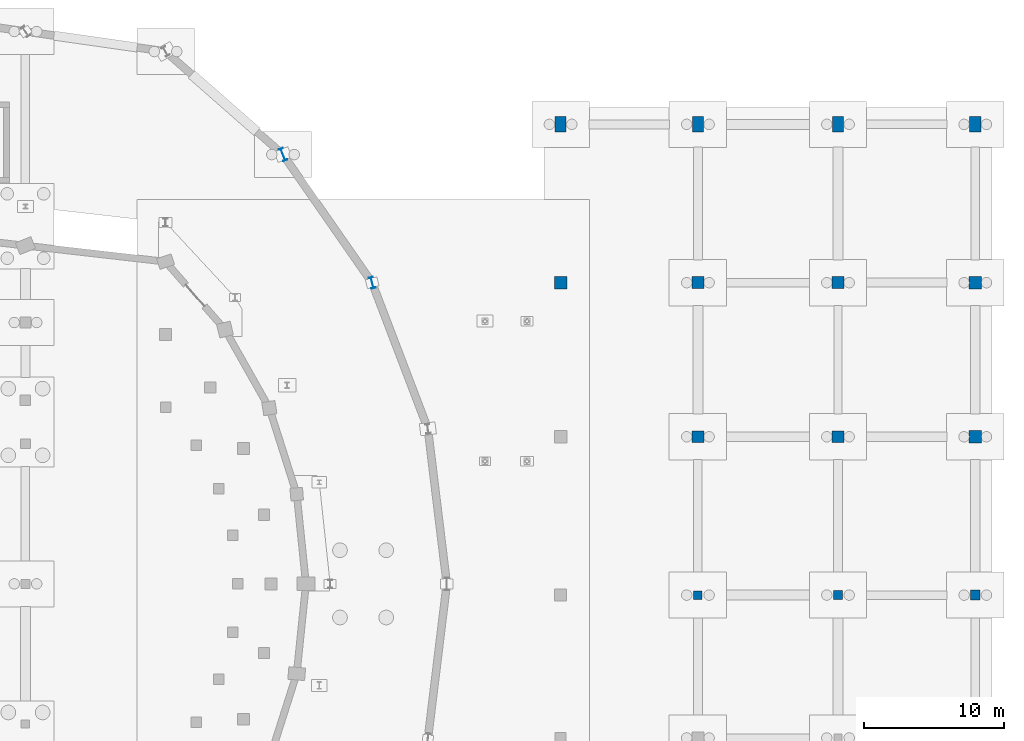
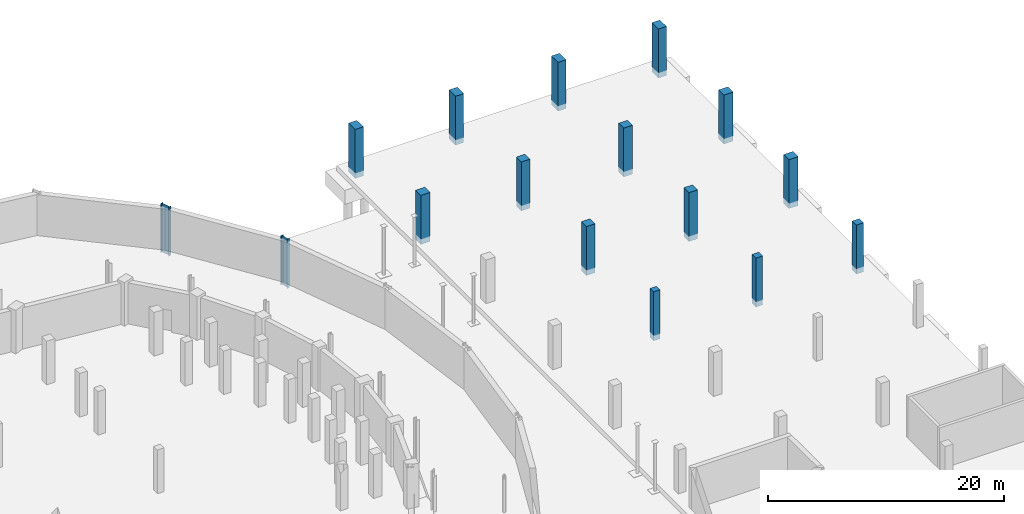
# One storey, part 33 of 55: 16 columns.
"""IFC4 building model written with IfcOpenShell, lengths in metres."""

from ifc_helpers import new_model, si_unit, direction, frame, origin, origin_2d, place, context, subcontext, project, spatial, rectangle, i_section, extrude, material, material_profile, profile_set, type_object, element, save


model = new_model("IFC4")

# Units and contexts
model_context = context("Model", 3, precision=1e-05, world=origin(), true_north=direction((0.0, 1.0)))
body_context = subcontext(model_context, "Body", "Model", "MODEL_VIEW")
ifc_project = project(units=[si_unit("LENGTHUNIT", "METRE"), si_unit("AREAUNIT", "SQUARE_METRE"), si_unit("VOLUMEUNIT", "CUBIC_METRE"), si_unit("PLANEANGLEUNIT", "RADIAN"), si_unit("MASSUNIT", "GRAM", prefix="KILO")], contexts=[model_context])

# Site, building, storey
site_placement = place(None, origin())
site = spatial("IfcSite", under=ifc_project, at=site_placement, CompositionType="ELEMENT")
building_placement = place(site_placement, origin())
building = spatial("IfcBuilding", under=site, at=building_placement, Name="Sohan Crest Arena", CompositionType="ELEMENT")
storey_placement = place(building_placement, frame((0.0, 0.0, -4.5)))
storey = spatial("IfcBuildingStorey", under=building, at=storey_placement, Name="B1", CompositionType="ELEMENT", Elevation=-4.5)

# Columns
ifc_material_1 = material(Name="Concrete C40/50", Category="concrete")
ifc_material_profile_1 = material_profile(ifc_material_1, rectangle(XDim=0.60009765625, YDim=0.60009765625, at=origin_2d()), Name="RC 600x600")
ifc_profile_set_1 = profile_set([ifc_material_profile_1], Name="Concrete C40/50")
column_type_1 = type_object("IfcColumnType", Name="STR-COL-C01", PredefinedType="COLUMN", material=ifc_profile_set_1)
column_1_placement = place(storey_placement, frame((206.0, 77.199951171875, -0.550048828125), z_axis=(0.0, 0.0, 1.0), x_axis=(1.0, 0.0, 0.0)))
element("IfcColumn", 1, at=column_1_placement, inside=storey, type_object=column_type_1, Name="Structural column COL-V4S-24-B1", PredefinedType="COLUMN", context=body_context, shape_type="SweptSolid", body=[
    extrude(rectangle(XDim=0.60009765625, YDim=0.60009765625, at=origin_2d()), origin(), (0.0, 0.0, 1.0), 5.050048828125),
])
ifc_material_profile_2 = material_profile(ifc_material_1, rectangle(XDim=0.64990234375, YDim=0.64990234375, at=origin_2d()), Name="RC 650x650")
ifc_profile_set_2 = profile_set([ifc_material_profile_2], Name="Concrete C40/50")
column_type_2 = type_object("IfcColumnType", Name="STR-COL-C02", PredefinedType="COLUMN", material=ifc_profile_set_2)
column_2_placement = place(storey_placement, frame((216.0, 77.199951171875, -0.550048828125), z_axis=(0.0, 0.0, 1.0), x_axis=(1.0, 0.0, 0.0)))
element("IfcColumn", 2, at=column_2_placement, inside=storey, type_object=column_type_2, Name="Structural column COL-V4S-34-B1", PredefinedType="COLUMN", context=body_context, shape_type="SweptSolid", body=[
    extrude(rectangle(XDim=0.64990234375, YDim=0.64990234375, at=origin_2d()), origin(), (0.0, 0.0, 1.0), 5.050048828125),
])
ifc_material_profile_3 = material_profile(ifc_material_1, rectangle(XDim=0.699951171875, YDim=0.699951171875, at=origin_2d()), Name="RC 700x700")
ifc_profile_set_3 = profile_set([ifc_material_profile_3], Name="Concrete C40/50")
column_type_3 = type_object("IfcColumnType", Name="STR-COL-C03", PredefinedType="COLUMN", material=ifc_profile_set_3)
column_3_placement = place(storey_placement, frame((225.800048828125, 77.199951171875, -0.550048828125), z_axis=(0.0, 0.0, 1.0), x_axis=(1.0, 0.0, 0.0)))
element("IfcColumn", 3, at=column_3_placement, inside=storey, type_object=column_type_3, Name="Structural column COL-V4S-44-B1", PredefinedType="COLUMN", context=body_context, shape_type="SweptSolid", body=[
    extrude(rectangle(XDim=0.699951171875, YDim=0.699951171875, at=origin_2d()), origin(), (0.0, 0.0, 1.0), 5.050048828125),
])
ifc_material_profile_4 = material_profile(ifc_material_1, rectangle(XDim=0.85009765625, YDim=0.85009765625, at=origin_2d()), Name="RC 850x850")
ifc_profile_set_4 = profile_set([ifc_material_profile_4], Name="Concrete C40/50")
column_type_4 = type_object("IfcColumnType", Name="STR-COL-C06", PredefinedType="COLUMN", material=ifc_profile_set_4)
for number, where, z_axis, x_axis, name in (
    (4, (206.0, 88.5, -0.550048828125), (0.0, 0.0, 1.0), (1.0, 0.0, 0.0), "Structural column COL-V4B-11-B1"),
    (5, (206.0, 99.5, -0.550048828125), (0.0, 0.0, 1.0), (1.0, 0.0, 0.0), "Structural column COL-V4B-12-B1"),
    (6, (216.0, 88.5, -0.550048828125), (0.0, 0.0, 1.0), (1.0, 0.0, 0.0), "Structural column COL-V4B-21-B1"),
    (7, (216.0, 99.5, -0.550048828125), (0.0, 0.0, 1.0), (1.0, 0.0, 0.0), "Structural column COL-V4B-22-B1"),
):
    element("IfcColumn", number, at=place(storey_placement, frame(where, z_axis=z_axis, x_axis=x_axis)), inside=storey, type_object=column_type_4, Name=name, PredefinedType="COLUMN", context=body_context, shape_type="SweptSolid", body=[
        extrude(rectangle(XDim=0.85009765625, YDim=0.85009765625, at=origin_2d()), origin(), (0.0, 0.0, 1.0), 5.050048828125),
    ])
ifc_material_profile_5 = material_profile(ifc_material_1, rectangle(XDim=0.89990234375, YDim=0.89990234375, at=origin_2d()), Name="RC 900x900")
ifc_profile_set_5 = profile_set([ifc_material_profile_5], Name="Concrete C40/50")
column_type_5 = type_object("IfcColumnType", Name="STR-COL-C07", PredefinedType="COLUMN", material=ifc_profile_set_5)
for number, where, z_axis, x_axis, name in (
    (8, (225.800048828125, 88.5, -0.550048828125), (0.0, 0.0, 1.0), (1.0, 0.0, 0.0), "Structural column COL-V4G-E1-B1"),
    (9, (196.199951171875, 99.5, -0.550048828125), (0.0, 0.0, 1.0), (1.0, 0.0, 0.0), "Structural column COL-V4G-W2-B1"),
    (10, (225.800048828125, 99.5, -0.550048828125), (0.0, 0.0, 1.0), (1.0, 0.0, 0.0), "Structural column COL-V4G-E2-B1"),
):
    element("IfcColumn", number, at=place(storey_placement, frame(where, z_axis=z_axis, x_axis=x_axis)), inside=storey, type_object=column_type_5, Name=name, PredefinedType="COLUMN", context=body_context, shape_type="SweptSolid", body=[
        extrude(rectangle(XDim=0.89990234375, YDim=0.89990234375, at=origin_2d()), origin(), (0.0, 0.0, 1.0), 5.050048828125),
    ])
ifc_material_profile_6 = material_profile(ifc_material_1, rectangle(XDim=1.10009765625, YDim=0.800048828125, at=origin_2d()), Name="RC 1100x800")
ifc_profile_set_6 = profile_set([ifc_material_profile_6], Name="Concrete C40/50")
column_type_6 = type_object("IfcColumnType", Name="STR-COL-C10", PredefinedType="COLUMN", material=ifc_profile_set_6)
for number, where, z_axis, x_axis, name in (
    (11, (196.199951171875, 110.800048828125, -0.550048828125), (0.0, 0.0, 1.0), (0.0, 1.0, 0.0), "Structural column COL-V4N-1-B1"),
    (12, (206.0, 110.800048828125, -0.550048828125), (0.0, 0.0, 1.0), (0.0, 1.0, 0.0), "Structural column COL-V4N-2-B1"),
    (13, (216.0, 110.800048828125, -0.550048828125), (0.0, 0.0, 1.0), (0.0, 1.0, 0.0), "Structural column COL-V4N-3-B1"),
    (14, (225.800048828125, 110.800048828125, -0.550048828125), (0.0, 0.0, 1.0), (0.0, 1.0, 0.0), "Structural column COL-V4N-4-B1"),
):
    element("IfcColumn", number, at=place(storey_placement, frame(where, z_axis=z_axis, x_axis=x_axis)), inside=storey, type_object=column_type_6, Name=name, PredefinedType="COLUMN", context=body_context, shape_type="SweptSolid", body=[
        extrude(rectangle(XDim=1.10009765625, YDim=0.800048828125, at=origin_2d()), origin(), (0.0, 0.0, 1.0), 5.050048828125),
    ])
ifc_material_2 = material(Name="Steel S355", Category="steel")
ifc_material_profile_7 = material_profile(ifc_material_2, i_section(OverallWidth=0.300048828125, OverallDepth=0.800048828125, WebThickness=0.017578125, FlangeThickness=0.032958984375, at=origin_2d()), Name="HEB 800")
ifc_profile_set_7 = profile_set([ifc_material_profile_7], Name="Steel S355")
column_type_7 = type_object("IfcColumnType", Name="STR-COL-C22", PredefinedType="COLUMN", material=ifc_profile_set_7)
column_4_placement = place(storey_placement, frame((182.7490234375, 99.489013671875, -0.550048828125), z_axis=(0.0, 0.0, 1.0), x_axis=(0.969445349895, 0.245307385879, 0.0)))
element("IfcColumn", 15, at=column_4_placement, inside=storey, type_object=column_type_7, Name="Structural column COL-V2O-26-B1", PredefinedType="COLUMN", context=body_context, shape_type="SweptSolid", body=[
    extrude(i_section(OverallWidth=0.300048828125, OverallDepth=0.800048828125, WebThickness=0.017578125, FlangeThickness=0.032958984375, at=origin_2d()), origin(), (0.0, 0.0, 1.0), 5.050048828125),
])
ifc_material_profile_8 = material_profile(ifc_material_2, i_section(OverallWidth=0.300048828125, OverallDepth=0.89990234375, WebThickness=0.0185546875, FlangeThickness=0.034912109375, at=origin_2d()), Name="HEB 900")
ifc_profile_set_8 = profile_set([ifc_material_profile_8], Name="Steel S355")
column_type_8 = type_object("IfcColumnType", Name="STR-COL-C23", PredefinedType="COLUMN", material=ifc_profile_set_8)
column_5_placement = place(storey_placement, frame((176.383056640625, 108.64501953125, -0.550048828125), z_axis=(0.0, 0.0, 1.0), x_axis=(0.931055815863, 0.364876784338, 0.0)))
element("IfcColumn", 16, at=column_5_placement, inside=storey, type_object=column_type_8, Name="Structural column COL-V2O-27-B1", PredefinedType="COLUMN", context=body_context, shape_type="SweptSolid", body=[
    extrude(i_section(OverallWidth=0.300048828125, OverallDepth=0.89990234375, WebThickness=0.0185546875, FlangeThickness=0.034912109375, at=origin_2d()), origin(), (0.0, 0.0, 1.0), 5.050048828125),
])

save(model, "model.ifc")
